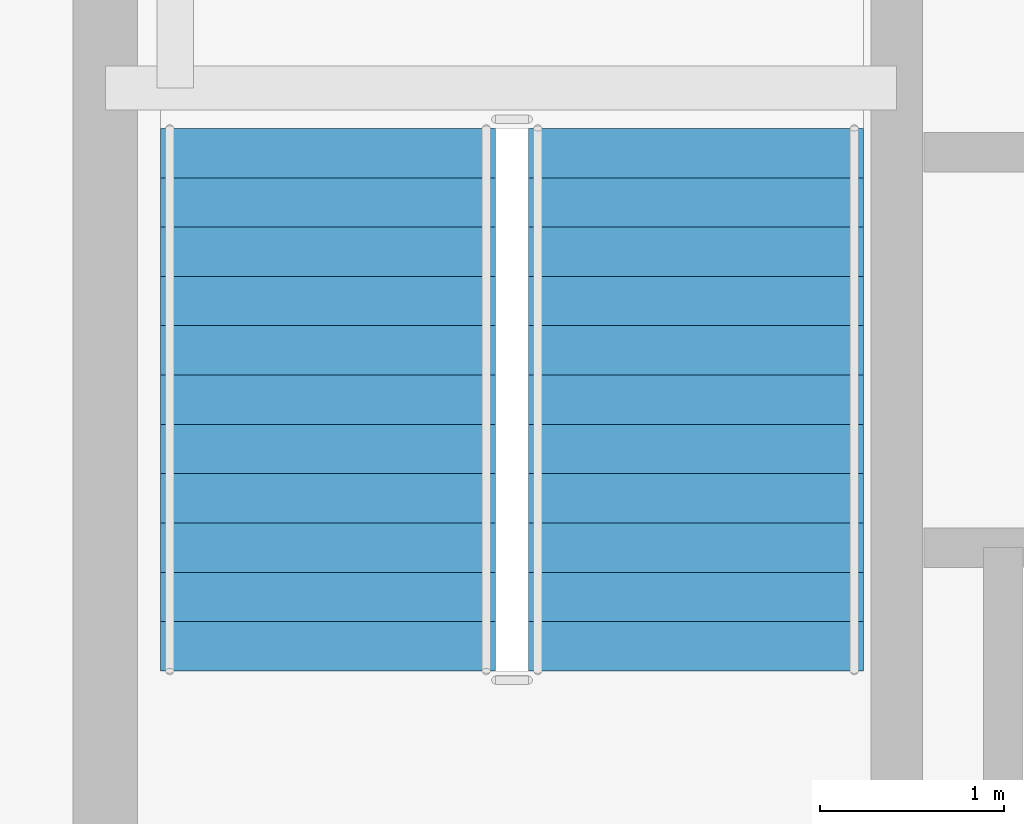
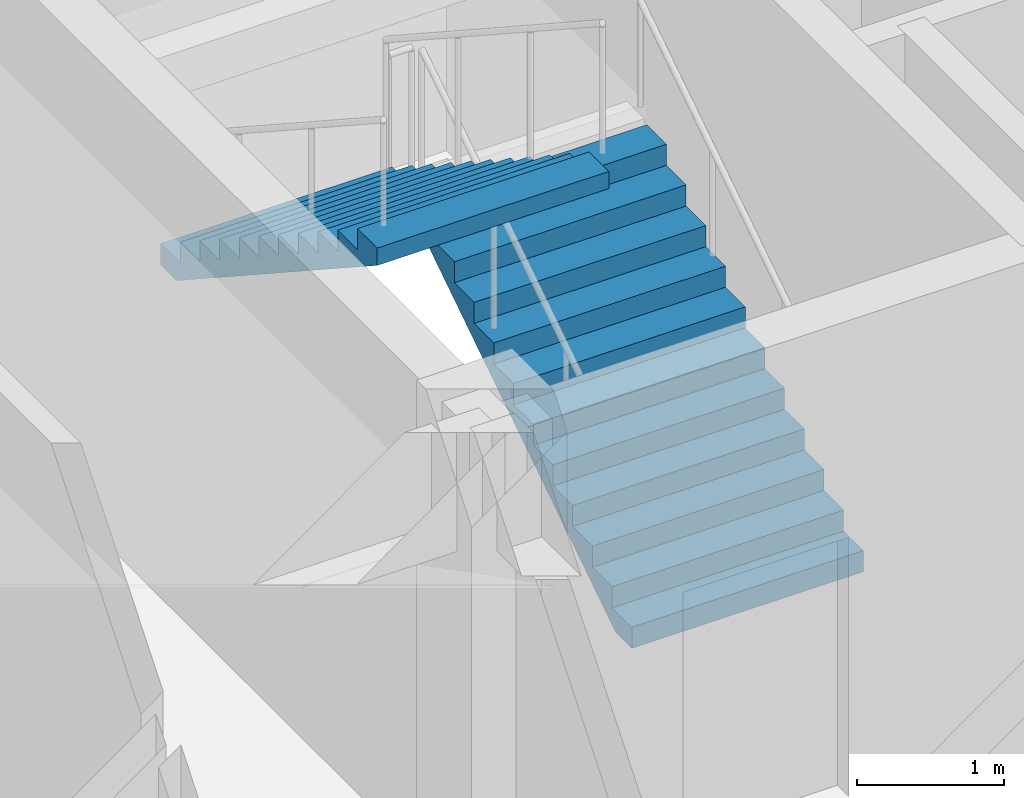
# One storey, part 23 of 27: 2 stair flights, 1 element without a shape of its own.
"""IFC4 building model written with IfcOpenShell, lengths in metres."""

from ifc_helpers import new_model, si_unit, direction, frame, origin, place, context, subcontext, project, spatial, polyline, outline, extrude, material, type_object, element, aggregate, save


model = new_model("IFC4")

# Units and contexts
model_context = context("Model", 3, precision=1e-05, world=origin(), true_north=direction((0.0, 1.0)))
body_context = subcontext(model_context, "Body", "Model", "MODEL_VIEW")
ifc_project = project(units=[si_unit("LENGTHUNIT", "METRE"), si_unit("AREAUNIT", "SQUARE_METRE"), si_unit("VOLUMEUNIT", "CUBIC_METRE"), si_unit("PLANEANGLEUNIT", "RADIAN"), si_unit("MASSUNIT", "GRAM", prefix="KILO")], contexts=[model_context])

# Site, building, storey
site_placement = place(None, origin())
site = spatial("IfcSite", under=ifc_project, at=site_placement, CompositionType="ELEMENT")
building_placement = place(site_placement, origin())
building = spatial("IfcBuilding", under=site, at=building_placement, Name="Canggui Botanical Conservatory", CompositionType="ELEMENT")
storey_placement = place(building_placement, frame((0.0, 0.0, 36.0)))
storey = spatial("IfcBuildingStorey", under=building, at=storey_placement, Name="L09", CompositionType="ELEMENT", Elevation=36.0)

# Stair, stair flights
ifc_material = material(Name="Concrete C35", Category="concrete")
stair_type = type_object("IfcStairType", Name="STR-TYPE-6", PredefinedType="HALF_TURN_STAIR", material=ifc_material)
stair_placement = place(storey_placement, origin())
stair = element("IfcStair", 1, at=stair_placement, inside=storey, type_object=stair_type, Name="L09 Tower North Smoke-Proof Stair ST-T2", PredefinedType="HALF_TURN_STAIR")
stair_flight_type = type_object("IfcStairFlightType", Name="SFL-TYPE-6", PredefinedType="STRAIGHT", material=ifc_material)
stair_flight_1_placement = place(storey_placement, frame((157.2099609375, 60.080078125, 0.0), z_axis=(0.0, 0.0, 1.0), x_axis=(0.0, 1.0, 0.0)))
stair_flight_1 = element("IfcStairFlight", 2, at=stair_flight_1_placement, type_object=stair_flight_type, Name="ST-T2 flight 1", NumberOfRisers=12, NumberOfTreads=11, PredefinedType="STRAIGHT", RiserHeight=0.175, TreadLength=0.268, context=body_context, shape_type="SweptSolid", body=[
    extrude(outline(polyline([(0.0, 0.0), (0.0, 0.175048828125), (0.26806640625, 0.175048828125), (0.26806640625, 0.35009765625), (0.535888671875, 0.35009765625), (0.535888671875, 0.52490234375), (0.803955078125, 0.52490234375), (0.803955078125, 0.699951171875), (1.072021484375, 0.699951171875), (1.072021484375, 0.875), (1.340087890625, 0.875), (1.340087890625, 1.050048828125), (1.60791015625, 1.050048828125), (1.60791015625, 1.22509765625), (1.8759765625, 1.22509765625), (1.8759765625, 1.39990234375), (2.14404296875, 1.39990234375), (2.14404296875, 1.574951171875), (2.412109375, 1.574951171875), (2.412109375, 1.75), (2.679931640625, 1.75), (2.679931640625, 1.925048828125), (2.947998046875, 1.925048828125), (2.947998046875, 2.10009765625), (2.947998046875, 1.781494140625), (0.2197265625, 0.0), (0.0, 0.0)])), frame((0.0, 0.91015625, 0.0), z_axis=(0.0, -1.0, 0.0), x_axis=(1.0, 0.0, 0.0)), (0.0, 0.0, 1.0), 1.820068359375),
])
stair_flight_2_placement = place(storey_placement, frame((155.2099609375, 63.028076171875, 2.10009765625), z_axis=(0.0, 0.0, 1.0), x_axis=(0.0, -1.0, 0.0)))
stair_flight_2 = element("IfcStairFlight", 3, at=stair_flight_2_placement, type_object=stair_flight_type, Name="ST-T2 flight 2", NumberOfRisers=12, NumberOfTreads=11, PredefinedType="STRAIGHT", RiserHeight=0.175, TreadLength=0.268, context=body_context, shape_type="SweptSolid", body=[
    extrude(outline(polyline([(0.0, 0.0), (0.0, 0.175048828125), (0.26806640625, 0.175048828125), (0.26806640625, 0.35009765625), (0.535888671875, 0.35009765625), (0.535888671875, 0.52490234375), (0.803955078125, 0.52490234375), (0.803955078125, 0.699951171875), (1.072021484375, 0.699951171875), (1.072021484375, 0.875), (1.340087890625, 0.875), (1.340087890625, 1.050048828125), (1.60791015625, 1.050048828125), (1.60791015625, 1.22509765625), (1.8759765625, 1.22509765625), (1.8759765625, 1.39990234375), (2.14404296875, 1.39990234375), (2.14404296875, 1.574951171875), (2.412109375, 1.574951171875), (2.412109375, 1.75), (2.679931640625, 1.75), (2.679931640625, 1.925048828125), (2.947998046875, 1.925048828125), (2.947998046875, 2.10009765625), (2.947998046875, 1.781494140625), (0.2197265625, 0.0), (0.0, 0.0)])), frame((0.0, 0.91015625, 0.0), z_axis=(0.0, -1.0, 0.0), x_axis=(1.0, 0.0, 0.0)), (0.0, 0.0, 1.0), 1.820068359375),
])
aggregate(stair, [stair_flight_1, stair_flight_2])

save(model, "model.ifc")
